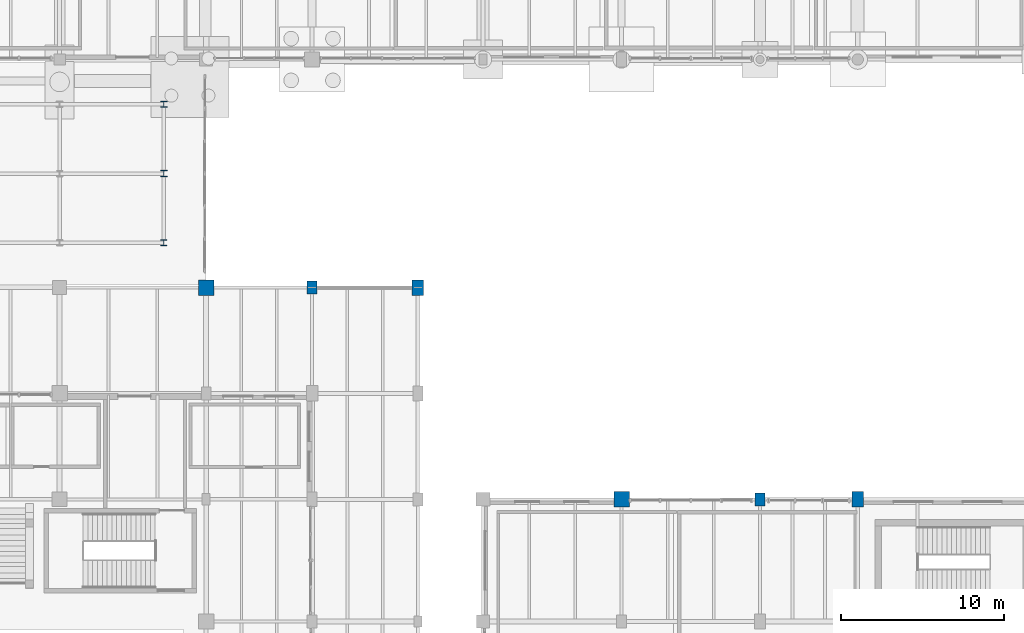
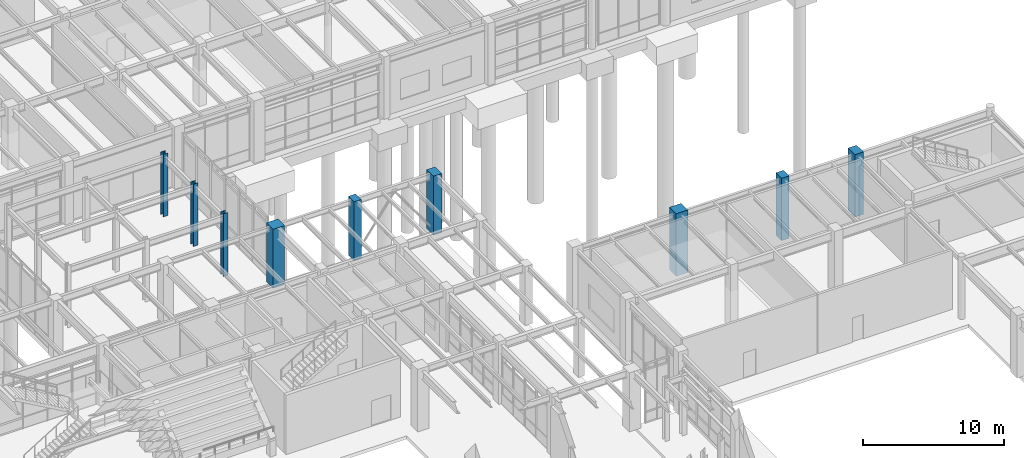
# One storey, part 21 of 203: 9 columns.
"""IFC4 building model written with IfcOpenShell, lengths in metres."""

from ifc_helpers import new_model, si_unit, direction, frame, origin, origin_2d, place, context, subcontext, project, spatial, rectangle, i_section, extrude, material, material_profile, profile_set, type_object, element, save


model = new_model("IFC4")

# Units and contexts
model_context = context("Model", 3, precision=1e-05, world=origin(), true_north=direction((0.0, 1.0)))
body_context = subcontext(model_context, "Body", "Model", "MODEL_VIEW")
ifc_project = project(units=[si_unit("LENGTHUNIT", "METRE"), si_unit("AREAUNIT", "SQUARE_METRE"), si_unit("VOLUMEUNIT", "CUBIC_METRE"), si_unit("PLANEANGLEUNIT", "RADIAN"), si_unit("MASSUNIT", "GRAM", prefix="KILO"), si_unit("THERMODYNAMICTEMPERATUREUNIT", "KELVIN"), si_unit("POWERUNIT", "WATT")], contexts=[model_context])

# Site, building, storey
site_placement = place(None, origin())
site = spatial("IfcSite", under=ifc_project, at=site_placement, CompositionType="ELEMENT")
building_placement = place(site_placement, origin())
building = spatial("IfcBuilding", under=site, at=building_placement, Name="Tepalcoro Natatorium and Aquatics Centre", CompositionType="ELEMENT")
storey_placement = place(building_placement, origin())
storey = spatial("IfcBuildingStorey", under=building, at=storey_placement, Name="L00", CompositionType="ELEMENT", Elevation=0.0)

# Columns
ifc_material_1 = material(Name="Concrete C40/50 (fc 40 MPa)", Category="concrete")
ifc_material_profile_1 = material_profile(ifc_material_1, rectangle(XDim=0.60009765625, YDim=0.800048828125, at=origin_2d()), Name="RC600x800")
ifc_profile_set_1 = profile_set([ifc_material_profile_1], Name="Concrete C40/50 (fc 40 MPa)")
column_type_1 = type_object("IfcColumnType", Name="COL_RC_600x800", PredefinedType="COLUMN", material=ifc_profile_set_1)
column_1_placement = place(storey_placement, frame((131.5, 72.0, 0.0), z_axis=(0.0, 0.0, 1.0), x_axis=(1.0, 0.0, 0.0)))
element("IfcColumn", 1, at=column_1_placement, inside=storey, type_object=column_type_1, Name="V1 L00 Grid Column (131.5, 72.0)", PredefinedType="COLUMN", context=body_context, shape_type="SweptSolid", body=[
    extrude(rectangle(XDim=0.60009765625, YDim=0.800048828125, at=origin_2d()), origin(), (0.0, 0.0, 1.0), 5.10009765625),
])
column_2_placement = place(storey_placement, frame((159.0, 59.0, 0.0), z_axis=(0.0, 0.0, 1.0), x_axis=(1.0, 0.0, 0.0)))
element("IfcColumn", 2, at=column_2_placement, inside=storey, type_object=column_type_1, Name="V2 L00 Grid Column (159.0, 59.0)", PredefinedType="COLUMN", context=body_context, shape_type="SweptSolid", body=[
    extrude(rectangle(XDim=0.60009765625, YDim=0.800048828125, at=origin_2d()), origin(), (0.0, 0.0, 1.0), 5.39990234375),
])
ifc_material_profile_2 = material_profile(ifc_material_1, rectangle(XDim=0.699951171875, YDim=0.949951171875, at=origin_2d()), Name="RC700x950")
ifc_profile_set_2 = profile_set([ifc_material_profile_2], Name="Concrete C40/50 (fc 40 MPa)")
column_type_2 = type_object("IfcColumnType", Name="COL_RC_700x950", PredefinedType="COLUMN", material=ifc_profile_set_2)
column_3_placement = place(storey_placement, frame((138.0, 72.0, 0.0), z_axis=(0.0, 0.0, 1.0), x_axis=(1.0, 0.0, 0.0)))
element("IfcColumn", 3, at=column_3_placement, inside=storey, type_object=column_type_2, Name="V1 L00 Grid Column (138.0, 72.0)", PredefinedType="COLUMN", context=body_context, shape_type="SweptSolid", body=[
    extrude(rectangle(XDim=0.699951171875, YDim=0.949951171875, at=origin_2d()), origin(), (0.0, 0.0, 1.0), 5.10009765625),
])
column_4_placement = place(storey_placement, frame((165.0, 59.0, 0.0), z_axis=(0.0, 0.0, 1.0), x_axis=(1.0, 0.0, 0.0)))
element("IfcColumn", 4, at=column_4_placement, inside=storey, type_object=column_type_2, Name="V2 L00 Grid Column (165.0, 59.0)", PredefinedType="COLUMN", context=body_context, shape_type="SweptSolid", body=[
    extrude(rectangle(XDim=0.699951171875, YDim=0.949951171875, at=origin_2d()), origin(), (0.0, 0.0, 1.0), 5.39990234375),
])
ifc_material_profile_3 = material_profile(ifc_material_1, rectangle(XDim=0.949951171875, YDim=0.949951171875, at=origin_2d()), Name="RC950x950")
ifc_profile_set_3 = profile_set([ifc_material_profile_3], Name="Concrete C40/50 (fc 40 MPa)")
column_type_3 = type_object("IfcColumnType", Name="COL_RC_950x950", PredefinedType="COLUMN", material=ifc_profile_set_3)
column_5_placement = place(storey_placement, frame((125.0, 72.0, 0.0), z_axis=(0.0, 0.0, 1.0), x_axis=(1.0, 0.0, 0.0)))
element("IfcColumn", 5, at=column_5_placement, inside=storey, type_object=column_type_3, Name="V1 L00 Grid Column (125.0, 72.0)", PredefinedType="COLUMN", context=body_context, shape_type="SweptSolid", body=[
    extrude(rectangle(XDim=0.949951171875, YDim=0.949951171875, at=origin_2d()), origin(), (0.0, 0.0, 1.0), 5.10009765625),
])
column_6_placement = place(storey_placement, frame((150.5, 59.0, 0.0), z_axis=(0.0, 0.0, 1.0), x_axis=(1.0, 0.0, 0.0)))
element("IfcColumn", 6, at=column_6_placement, inside=storey, type_object=column_type_3, Name="V2 L00 Grid Column (150.5, 59.0)", PredefinedType="COLUMN", context=body_context, shape_type="SweptSolid", body=[
    extrude(rectangle(XDim=0.949951171875, YDim=0.949951171875, at=origin_2d()), origin(), (0.0, 0.0, 1.0), 5.39990234375),
])
ifc_material_2 = material(Name="Steel ASTM A992 Grade 50 (Fy 345 MPa)", Category="steel")
ifc_material_profile_4 = material_profile(ifc_material_2, i_section(OverallWidth=0.373046875, OverallDepth=0.367919921875, WebThickness=0.014892578125, FlangeThickness=0.02392578125, FilletRadius=0.013916015625, at=origin_2d()), Name="W14X120")
ifc_profile_set_4 = profile_set([ifc_material_profile_4], Name="Steel ASTM A992 Grade 50 (Fy 345 MPa)")
column_type_4 = type_object("IfcColumnType", Name="COL_W14x120", PredefinedType="COLUMN", material=ifc_profile_set_4)
column_7_placement = place(storey_placement, frame((122.39990234375, 74.75, 0.0), z_axis=(0.0, 0.0, 1.0), x_axis=(1.0, 0.0, 0.0)))
element("IfcColumn", 7, at=column_7_placement, inside=storey, type_object=column_type_4, Name="East Court Wellness Arcade Column L00", PredefinedType="COLUMN", context=body_context, shape_type="SweptSolid", body=[
    extrude(i_section(OverallWidth=0.373046875, OverallDepth=0.367919921875, WebThickness=0.014892578125, FlangeThickness=0.02392578125, FilletRadius=0.013916015625, at=origin_2d()), origin(), (0.0, 0.0, 1.0), 5.39990234375),
])
ifc_material_profile_5 = material_profile(ifc_material_2, i_section(OverallWidth=0.39404296875, OverallDepth=0.3759765625, WebThickness=0.01708984375, FlangeThickness=0.028076171875, FilletRadius=0.013916015625, at=origin_2d()), Name="W14X145")
ifc_profile_set_5 = profile_set([ifc_material_profile_5], Name="Steel ASTM A992 Grade 50 (Fy 345 MPa)")
column_type_5 = type_object("IfcColumnType", Name="COL_W14x145", PredefinedType="COLUMN", material=ifc_profile_set_5)
column_8_placement = place(storey_placement, frame((122.39990234375, 79.0, 0.0), z_axis=(0.0, 0.0, 1.0), x_axis=(1.0, 0.0, 0.0)))
element("IfcColumn", 8, at=column_8_placement, inside=storey, type_object=column_type_5, Name="East Court Wellness Arcade Column L00", PredefinedType="COLUMN", context=body_context, shape_type="SweptSolid", body=[
    extrude(i_section(OverallWidth=0.39404296875, OverallDepth=0.3759765625, WebThickness=0.01708984375, FlangeThickness=0.028076171875, FilletRadius=0.013916015625, at=origin_2d()), origin(), (0.0, 0.0, 1.0), 5.39990234375),
])
ifc_material_profile_6 = material_profile(ifc_material_2, i_section(OverallWidth=0.39892578125, OverallDepth=0.385986328125, WebThickness=0.02099609375, FlangeThickness=0.032958984375, FilletRadius=0.013916015625, at=origin_2d()), Name="W14X176")
ifc_profile_set_6 = profile_set([ifc_material_profile_6], Name="Steel ASTM A992 Grade 50 (Fy 345 MPa)")
column_type_6 = type_object("IfcColumnType", Name="COL_W14x176", PredefinedType="COLUMN", material=ifc_profile_set_6)
column_9_placement = place(storey_placement, frame((122.39990234375, 83.25, 0.0), z_axis=(0.0, 0.0, 1.0), x_axis=(1.0, 0.0, 0.0)))
element("IfcColumn", 9, at=column_9_placement, inside=storey, type_object=column_type_6, Name="East Court Wellness Arcade Column L00", PredefinedType="COLUMN", context=body_context, shape_type="SweptSolid", body=[
    extrude(i_section(OverallWidth=0.39892578125, OverallDepth=0.385986328125, WebThickness=0.02099609375, FlangeThickness=0.032958984375, FilletRadius=0.013916015625, at=origin_2d()), origin(), (0.0, 0.0, 1.0), 5.39990234375),
])

save(model, "model.ifc")
